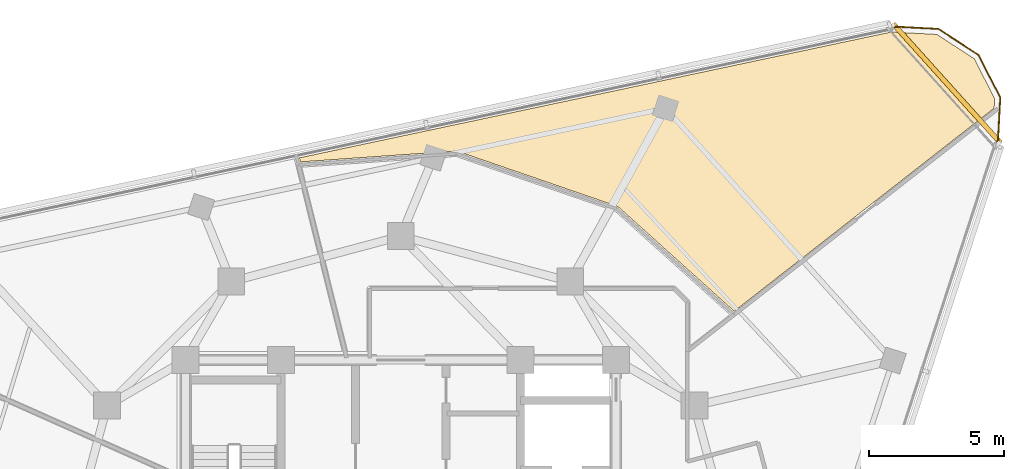
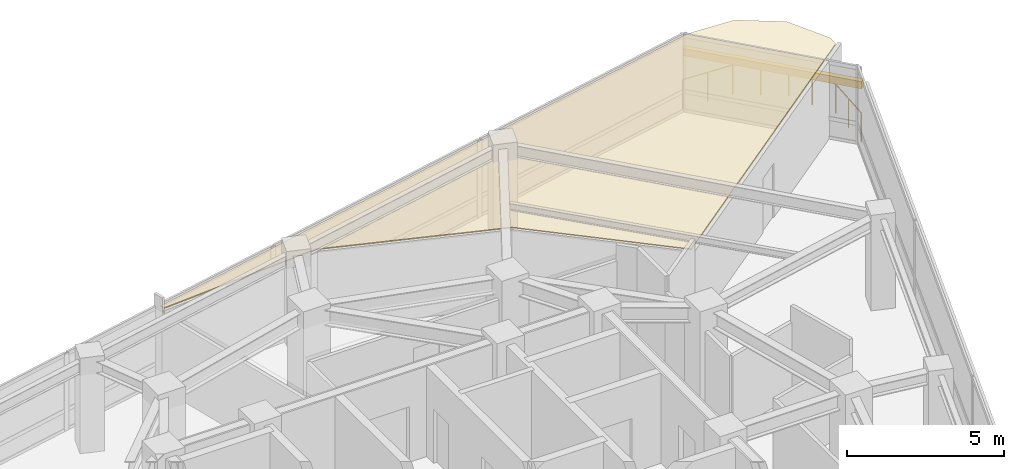
# One storey, part 15 of 15: 1 covering, 1 railing, 1 shading device.
"""IFC4 building model written with IfcOpenShell, lengths in metres."""

from ifc_helpers import new_model, si_unit, direction, frame, origin, origin_2d, place, context, subcontext, project, spatial, polyline, rectangle, circle, outline, extrude, material, layer, layer_set, type_object, element, save


model = new_model("IFC4")

# Units and contexts
model_context = context("Model", 3, precision=1e-05, world=origin(), true_north=direction((0.0, 1.0)))
body_context = subcontext(model_context, "Body", "Model", "MODEL_VIEW")
ifc_project = project(units=[si_unit("LENGTHUNIT", "METRE"), si_unit("AREAUNIT", "SQUARE_METRE"), si_unit("VOLUMEUNIT", "CUBIC_METRE"), si_unit("PLANEANGLEUNIT", "RADIAN"), si_unit("MASSUNIT", "GRAM", prefix="KILO")], contexts=[model_context])

# Site, building, storey
site_placement = place(None, origin())
site = spatial("IfcSite", under=ifc_project, at=site_placement, CompositionType="ELEMENT")
building_placement = place(site_placement, origin())
building = spatial("IfcBuilding", under=site, at=building_placement, Name="Terralouvre Media Tower", CompositionType="ELEMENT")
storey_placement = place(building_placement, frame((0.0, 0.0, 286.89990234375)))
storey = spatial("IfcBuildingStorey", under=building, at=storey_placement, Name="L74", CompositionType="ELEMENT", Elevation=286.89990234375)

# Covering
ifc_material_1 = material(Name="Perforated aluminium acoustic ceiling baffle", Category="aluminium")
ifc_layer_1 = layer(ifc_material_1, 0.0400390625, Name="Perforated Acoustic Metal Tile Ceiling CL-AC1")
ifc_layer_set_1 = layer_set([ifc_layer_1], Name="Perforated aluminium acoustic ceiling baffle")
covering_type = type_object("IfcCoveringType", Name="Perforated Acoustic Metal Tile Ceiling CL-AC1", PredefinedType="CEILING", material=ifc_layer_set_1)
covering_placement = place(storey_placement, frame((0.0, 0.0, 2.97998046875), z_axis=(0.0, 0.0, 1.0), x_axis=(0.309016994375, 0.951056516295, 0.0)))
element("IfcCovering", 1, at=covering_placement, inside=storey, type_object=covering_type, Name="L74 Digital Editing Lecture Room 6 Acoustic Ceiling", PredefinedType="CEILING", context=body_context, shape_type="SweptSolid", body=[
    extrude(outline(polyline([(15.628173828125, 2.917236328125), (15.631591796875, 2.90771484375), (15.6337890625, 2.89794921875), (15.635009765625, 2.887939453125), (15.635498046875, 2.8779296875), (15.525634765625, -3.42138671875), (15.52490234375, -3.431396484375), (15.5234375, -3.441162109375), (15.5205078125, -3.450927734375), (15.51708984375, -3.460205078125), (13.1591796875, -8.755615234375), (23.322021484375, -15.610595703125), (23.666015625, -15.51806640625), (24.841552734375, -14.342529296875), (25.272216796875, -12.73681640625), (24.834228515625, -11.10107421875), (13.590087890625, 8.374267578125), (13.457275390625, 8.290771484375), (15.628173828125, 2.917236328125)])), origin(), (0.0, 0.0, 1.0), 0.0400390625),
])

# Railing
ifc_material_2 = material(Name="Stainless steel 316 handrail and balustrade", Category="steel")
ifc_layer_2 = layer(ifc_material_2, 0.06005859375, Name="Roof Edge Safety Guardrail GR-ROOF1")
ifc_layer_set_2 = layer_set([ifc_layer_2], Name="Stainless steel 316 handrail and balustrade")
railing_type = type_object("IfcRailingType", Name="Roof Edge Safety Guardrail GR-ROOF1", PredefinedType="GUARDRAIL", material=ifc_layer_set_2)
railing_placement = place(storey_placement, frame((22.189453125, 15.972900390625, 0.0)))
element("IfcRailing", 2, at=railing_placement, inside=storey, type_object=railing_type, Name="L74 Wind-Corner Perimeter Safety Guardrail C1", PredefinedType="GUARDRAIL", context=body_context, shape_type="SweptSolid", body=[
    extrude(circle(Radius=0.02099609375, at=origin_2d()), frame((0.0, 0.0, 1.12890625), z_axis=(0.052530038308, 0.998619344433, 0.0), x_axis=(-0.998619344433, 0.052530038308, 0.0)), (0.0, 0.0, 1.0), 1.780029296875),
    extrude(circle(Radius=0.02099609375, at=origin_2d()), frame((0.093505859375, 1.777587890625, 1.12890625), z_axis=(-0.453894958645, 0.891055198356, 0.0), x_axis=(-0.891055198356, -0.453894958645, 0.0)), (0.0, 0.0, 1.0), 1.77978515625),
    extrude(circle(Radius=0.02099609375, at=origin_2d()), frame((-0.71435546875, 3.363525390625, 1.12890625), z_axis=(-0.838763173907, 0.544496407791, 0.0), x_axis=(-0.544496407791, -0.838763173907, 0.0)), (0.0, 0.0, 1.0), 1.779541015625),
    extrude(circle(Radius=0.02099609375, at=origin_2d()), frame((-2.20703125, 4.33251953125, 1.12890625), z_axis=(-0.998641217395, 0.052112560095, 0.0), x_axis=(-0.052112560095, -0.998641217395, 0.0)), (0.0, 0.0, 1.0), 1.7802734375),
    extrude(circle(Radius=0.01904296875, at=origin_2d()), origin(), (0.0, 0.0, 1.0), 1.10791015625),
    extrude(circle(Radius=0.01904296875, at=origin_2d()), frame((0.046875, 0.888671875, 0.0)), (0.0, 0.0, 1.0), 1.10791015625),
    extrude(circle(Radius=0.01904296875, at=origin_2d()), frame((0.093505859375, 1.777587890625, 0.0)), (0.0, 0.0, 1.0), 1.10791015625),
    extrude(circle(Radius=0.01904296875, at=origin_2d()), frame((-0.310546875, 2.570556640625, 0.0)), (0.0, 0.0, 1.0), 1.10791015625),
    extrude(circle(Radius=0.01904296875, at=origin_2d()), frame((-0.71435546875, 3.363525390625, 0.0)), (0.0, 0.0, 1.0), 1.10791015625),
    extrude(circle(Radius=0.01904296875, at=origin_2d()), frame((-1.460693359375, 3.84814453125, 0.0)), (0.0, 0.0, 1.0), 1.10791015625),
    extrude(circle(Radius=0.01904296875, at=origin_2d()), frame((-2.20703125, 4.33251953125, 0.0)), (0.0, 0.0, 1.0), 1.10791015625),
    extrude(circle(Radius=0.01904296875, at=origin_2d()), frame((-3.095947265625, 4.37890625, 0.0)), (0.0, 0.0, 1.0), 1.10791015625),
    extrude(circle(Radius=0.01904296875, at=origin_2d()), frame((-3.98486328125, 4.42529296875, 0.0)), (0.0, 0.0, 1.0), 1.10791015625),
])

# Shading device
ifc_material_3 = material(Name="Extruded terracotta baguette sunshade louvres", Category="masonry")
shading_device_type = type_object("IfcShadingDeviceType", Name="Terracotta Baguette Sunshade Louvre Screen TB-LV1", PredefinedType="USERDEFINED", material=ifc_material_3)
shading_device_placement = place(storey_placement, frame((20.29736328125, 18.27587890625, 2.02392578125), z_axis=(0.0, 0.0, 1.0), x_axis=(-0.669130231192, 0.743145163279, 0.0)))
element("IfcShadingDevice", 3, at=shading_device_placement, inside=storey, type_object=shading_device_type, Name="CW-L74-C1 Terracotta Baguette Sunshade Louvre", ObjectType="BAGUETTE", PredefinedType="USERDEFINED", context=body_context, shape_type="SweptSolid", body=[
    extrude(rectangle(XDim=5.958251953125, YDim=0.179931640625, at=origin_2d()), origin(), (0.0, 0.0, 1.0), 0.280029296875),
])

save(model, "model.ifc")
